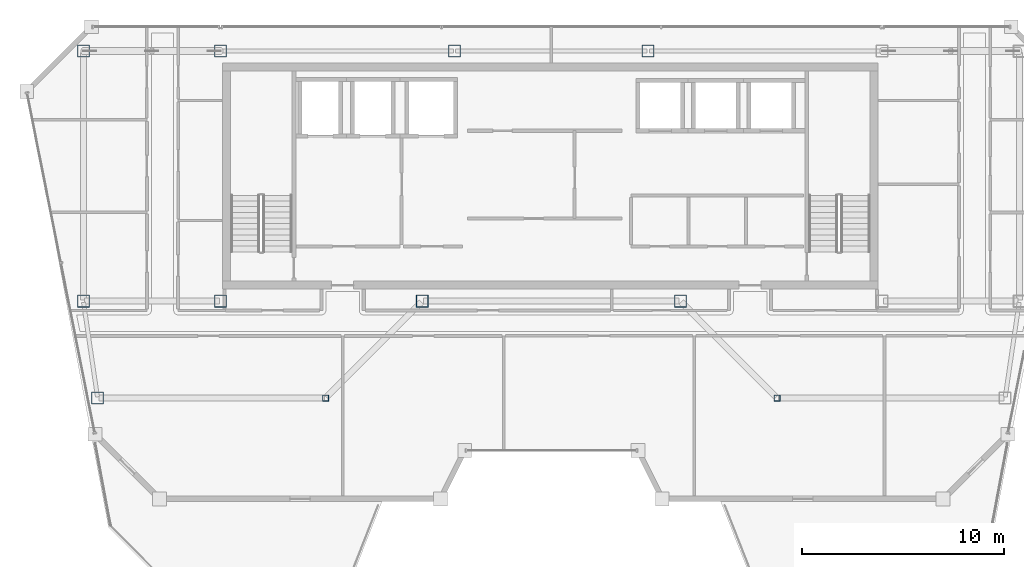
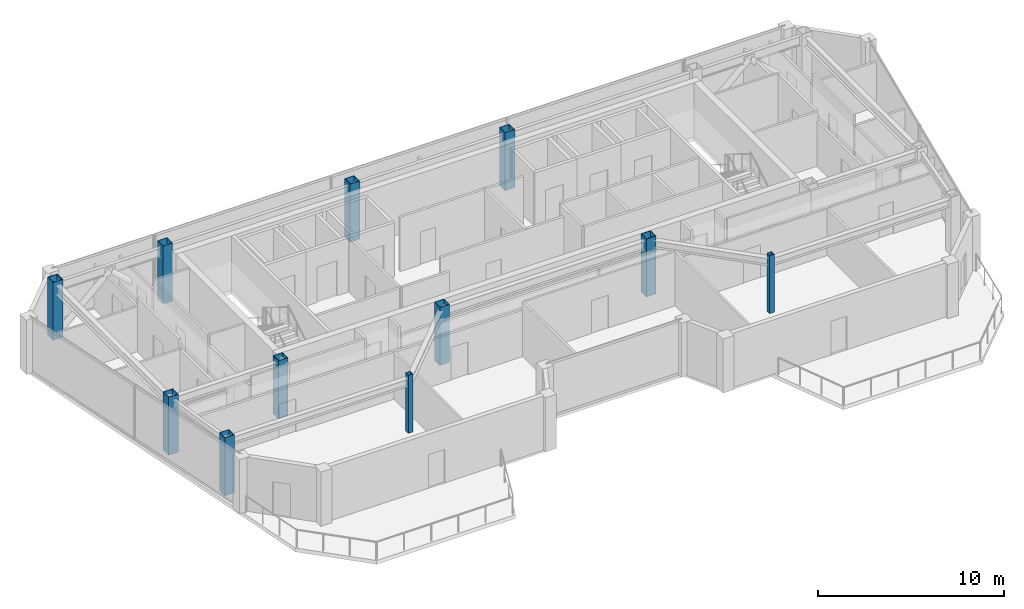
# One storey, part 1 of 20: 11 columns.
"""IFC4 building model written with IfcOpenShell, lengths in metres."""

from ifc_helpers import new_model, si_unit, direction, frame, origin, origin_2d, place, context, subcontext, project, spatial, hollow_rectangle, extrude, material, material_profile, profile_set, type_object, element, save


model = new_model("IFC4")

# Units and contexts
model_context = context("Model", 3, precision=1e-05, world=origin(), true_north=direction((0.0, 1.0)))
body_context = subcontext(model_context, "Body", "Model", "MODEL_VIEW")
ifc_project = project(units=[si_unit("LENGTHUNIT", "METRE"), si_unit("AREAUNIT", "SQUARE_METRE"), si_unit("VOLUMEUNIT", "CUBIC_METRE"), si_unit("PLANEANGLEUNIT", "RADIAN"), si_unit("MASSUNIT", "GRAM", prefix="KILO")], contexts=[model_context])

# Site, building, storey
site_placement = place(None, origin())
site = spatial("IfcSite", under=ifc_project, at=site_placement, CompositionType="ELEMENT")
building_placement = place(site_placement, origin())
building = spatial("IfcBuilding", under=site, at=building_placement, Name="Saevonmaru Cultural Tower", CompositionType="ELEMENT")
storey_placement = place(building_placement, frame((0.0, 0.0, 295.199951171875)))
storey = spatial("IfcBuildingStorey", under=building, at=storey_placement, Name="L70", CompositionType="ELEMENT", Elevation=295.199951171875)

# Columns
ifc_material = material(Name="Steel SM355", Category="steel")
ifc_material_profile_1 = material_profile(ifc_material, hollow_rectangle(XDim=0.60009765625, YDim=0.60009765625, WallThickness=0.028076171875, at=origin_2d()), Name="BOX-600x600x28")
ifc_profile_set_1 = profile_set([ifc_material_profile_1], Name="Steel SM355")
column_type_1 = type_object("IfcColumnType", Name="COL-BOX-600", PredefinedType="COLUMN", material=ifc_profile_set_1)
for number, where, z_axis, x_axis, name in (
    (1, (6.800048828125, 54.800048828125, 0.0), (0.0, 0.0, 1.0), (1.0, 0.0, 0.0), "L70 Column TC-N1N"),
    (2, (13.60009765625, 54.800048828125, 0.0), (0.0, 0.0, 1.0), (1.0, 0.0, 0.0), "L70 Column TC-N2N"),
    (3, (25.199951171875, 54.800048828125, 0.0), (0.0, 0.0, 1.0), (1.0, 0.0, 0.0), "L70 Column TC-N3N"),
    (4, (34.800048828125, 54.800048828125, 0.0), (0.0, 0.0, 1.0), (1.0, 0.0, 0.0), "L70 Column TC-N4N"),
    (5, (6.800048828125, 42.39990234375, 0.0), (0.0, 0.0, 1.0), (1.0, 0.0, 0.0), "L70 Column TC-S1C"),
    (6, (13.60009765625, 42.39990234375, 0.0), (0.0, 0.0, 1.0), (1.0, 0.0, 0.0), "L70 Column TC-S2C"),
    (7, (23.60009765625, 42.39990234375, 0.0), (0.0, 0.0, 1.0), (1.0, 0.0, 0.0), "L70 Column TC-S3C"),
    (8, (36.39990234375, 42.39990234375, 0.0), (0.0, 0.0, 1.0), (1.0, 0.0, 0.0), "L70 Column TC-S4C"),
    (9, (7.508056640625, 37.60009765625, 0.0), (0.0, 0.0, 1.0), (1.0, 0.0, 0.0), "L70 Column TC-WO-Y376"),
):
    element("IfcColumn", number, at=place(storey_placement, frame(where, z_axis=z_axis, x_axis=x_axis)), inside=storey, type_object=column_type_1, Name=name, PredefinedType="COLUMN", context=body_context, shape_type="SweptSolid", body=[
        extrude(hollow_rectangle(XDim=0.60009765625, YDim=0.60009765625, WallThickness=0.028076171875, at=origin_2d()), origin(), (0.0, 0.0, 1.0), 3.800048828125),
    ])
ifc_material_profile_2 = material_profile(ifc_material, hollow_rectangle(XDim=0.300048828125, YDim=0.300048828125, WallThickness=0.011962890625, at=origin_2d()), Name="SHS-300x300x12")
ifc_profile_set_2 = profile_set([ifc_material_profile_2], Name="Steel SM355")
column_type_2 = type_object("IfcColumnType", Name="COL-SHS-300", PredefinedType="COLUMN", material=ifc_profile_set_2)
for number, where, z_axis, x_axis, name in (
    (10, (18.80810546875, 37.60009765625, 0.0), (0.0, 0.0, 1.0), (1.0, 0.0, 0.0), "L70 Column TC-WI-Y376"),
    (11, (41.19189453125, 37.60009765625, 0.0), (0.0, 0.0, 1.0), (1.0, 0.0, 0.0), "L70 Column TC-EI-Y376"),
):
    element("IfcColumn", number, at=place(storey_placement, frame(where, z_axis=z_axis, x_axis=x_axis)), inside=storey, type_object=column_type_2, Name=name, PredefinedType="COLUMN", context=body_context, shape_type="SweptSolid", body=[
        extrude(hollow_rectangle(XDim=0.300048828125, YDim=0.300048828125, WallThickness=0.011962890625, at=origin_2d()), origin(), (0.0, 0.0, 1.0), 3.800048828125),
    ])

save(model, "model.ifc")
